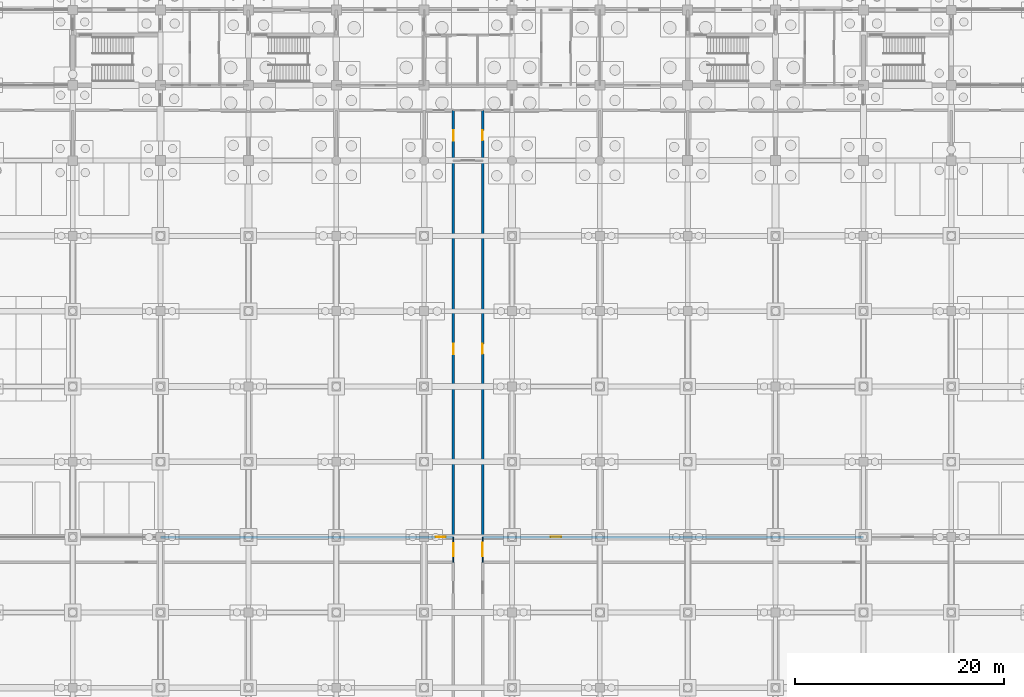
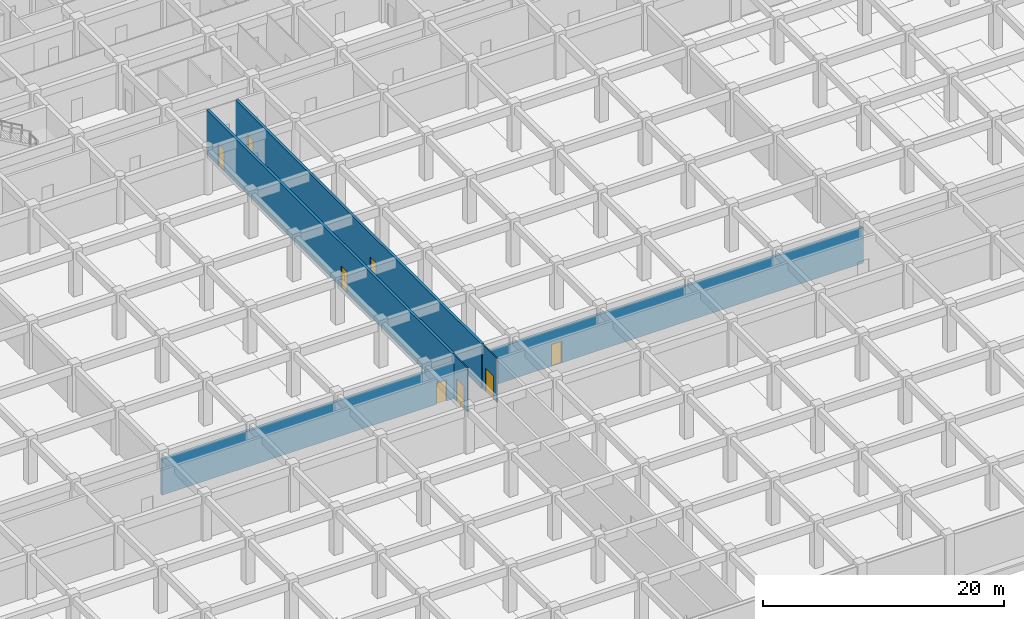
# One storey, part 29 of 85: 8 doors, 6 walls, 8 openings.
"""IFC4 building model written with IfcOpenShell, lengths in metres."""

from ifc_helpers import new_model, si_unit, direction, frame, frame_2d, origin, place, context, subcontext, project, spatial, rectangle, extrude, material, layer, layer_set, type_object, element, fill, save


model = new_model("IFC4")

# Units and contexts
model_context = context("Model", 3, precision=1e-05, world=origin(), true_north=direction((0.0, 1.0)))
body_context = subcontext(model_context, "Body", "Model", "MODEL_VIEW")
ifc_project = project(units=[si_unit("LENGTHUNIT", "METRE"), si_unit("AREAUNIT", "SQUARE_METRE"), si_unit("VOLUMEUNIT", "CUBIC_METRE"), si_unit("PLANEANGLEUNIT", "RADIAN"), si_unit("MASSUNIT", "GRAM", prefix="KILO")], contexts=[model_context])

# Site, building, storey
site_placement = place(None, origin())
site = spatial("IfcSite", under=ifc_project, at=site_placement, CompositionType="ELEMENT")
building_placement = place(site_placement, origin())
building = spatial("IfcBuilding", under=site, at=building_placement, Name="Chengyuan Square Courthouse", CompositionType="ELEMENT")
storey_placement = place(building_placement, frame((0.0, 0.0, -10.199951171875)))
storey = spatial("IfcBuildingStorey", under=building, at=storey_placement, Name="B02", CompositionType="ELEMENT", Elevation=-10.199951171875)

# Wall, opening, door
ifc_material_1 = material(Name="Concrete C40", Category="concrete")
ifc_layer_1 = layer(ifc_material_1, 0.25)
ifc_layer_set_1 = layer_set([ifc_layer_1], Name="Concrete C40")
wall_type_1 = type_object("IfcWallType", Name="WL-FW1", PredefinedType="STANDARD", material=ifc_layer_set_1)
wall_1_placement = place(storey_placement, frame((50.39990234375, 43.199951171875, 0.0), z_axis=(0.0, 0.0, 1.0), x_axis=(1.0, 0.0, 0.0)))
wall_1 = element("IfcWall", 1, at=wall_1_placement, inside=storey, type_object=wall_type_1, Name="Interior Wall WL-B02-I013", PredefinedType="STANDARD", context=body_context, shape_type="SweptSolid", body=[
    extrude(rectangle(XDim=28.0, YDim=0.25, at=frame_2d((14.0, 0.0))), origin(), (0.0, 0.0, 1.0), 3.6298828125),
])
opening_1_placement = place(wall_1_placement, frame((26.297607421875, 0.0, 0.0)))
opening_1 = element("IfcOpeningElement", 2, at=opening_1_placement, cuts=wall_1, Name="Opening DR-327", PredefinedType="OPENING", context=body_context, shape_type="SweptSolid", body=[
    extrude(rectangle(XDim=0.949951171875, YDim=2.14990234375, at=frame_2d((0.47509765625, 1.074951171875))), frame((0.0, 0.136962890625, 0.0), z_axis=(0.0, -1.0, 0.0), x_axis=(1.0, 0.0, 0.0)), (0.0, 0.0, 1.0), 0.27392578125),
])
ifc_material_2 = material(Name="Steel Q235B Fire Door", Category="steel")
door_type_1 = type_object("IfcDoorType", Name="DT-12", OperationType="NOTDEFINED", PredefinedType="DOOR", material=ifc_material_2)
door_1_placement = place(opening_1_placement, origin())
door_1 = element("IfcDoor", 3, at=door_1_placement, inside=storey, type_object=door_type_1, Name="Interior Door DR-327", OperationType="SINGLE_SWING_RIGHT", OverallHeight=2.14990234375, OverallWidth=0.949951171875, PredefinedType="DOOR", context=body_context, shape_type="SweptSolid", body=[
    extrude(rectangle(XDim=0.949951171875, YDim=2.14990234375, at=frame_2d((0.47509765625, 1.074951171875))), frame((0.0, 0.02490234375, 0.0), z_axis=(0.0, -1.0, 0.0), x_axis=(1.0, 0.0, 0.0)), (0.0, 0.0, 1.0), 0.050048828125),
])
fill(opening_1, door_1)

wall_2_placement = place(storey_placement, frame((81.199951171875, 43.199951171875, 0.0), z_axis=(0.0, 0.0, 1.0), x_axis=(1.0, 0.0, 0.0)))
wall_2 = element("IfcWall", 4, at=wall_2_placement, inside=storey, type_object=wall_type_1, Name="Interior Wall WL-B02-I014", PredefinedType="STANDARD", context=body_context, shape_type="SweptSolid", body=[
    extrude(rectangle(XDim=36.400146484375, YDim=0.25, at=frame_2d((18.2001953125, 0.0))), origin(), (0.0, 0.0, 1.0), 3.6298828125),
])
opening_2_placement = place(wall_2_placement, frame((6.5, 0.0, 0.0)))
opening_2 = element("IfcOpeningElement", 5, at=opening_2_placement, cuts=wall_2, Name="Opening DR-329", PredefinedType="OPENING", context=body_context, shape_type="SweptSolid", body=[
    extrude(rectangle(XDim=1.0, YDim=2.199951171875, at=frame_2d((0.5, 1.10009765625))), frame((0.0, 0.136962890625, 0.0), z_axis=(0.0, -1.0, 0.0), x_axis=(1.0, 0.0, 0.0)), (0.0, 0.0, 1.0), 0.27392578125),
])
door_type_2 = type_object("IfcDoorType", Name="DT-11", OperationType="NOTDEFINED", PredefinedType="DOOR", material=ifc_material_2)
door_2_placement = place(opening_2_placement, origin())
door_2 = element("IfcDoor", 6, at=door_2_placement, inside=storey, type_object=door_type_2, Name="Interior Door DR-329", OperationType="SINGLE_SWING_RIGHT", OverallHeight=2.199951171875, OverallWidth=1.0, PredefinedType="DOOR", context=body_context, shape_type="SweptSolid", body=[
    extrude(rectangle(XDim=1.0, YDim=2.199951171875, at=frame_2d((0.5, 1.10009765625))), frame((0.0, 0.02490234375, 0.0), z_axis=(0.0, -1.0, 0.0), x_axis=(1.0, 0.0, 0.0)), (0.0, 0.0, 1.0), 0.050048828125),
])
fill(opening_2, door_2)

# Wall, openings, doors
wall_3_placement = place(storey_placement, frame((78.39990234375, 43.199951171875, 0.0), z_axis=(0.0, 0.0, 1.0), x_axis=(0.0, 1.0, 0.0)))
wall_3 = element("IfcWall", 7, at=wall_3_placement, inside=storey, type_object=wall_type_1, Name="Interior Wall WL-B02-I192", PredefinedType="STANDARD", context=body_context, shape_type="SweptSolid", body=[
    extrude(rectangle(XDim=40.800048828125, YDim=0.25, at=frame_2d((20.39990234375, 0.0))), origin(), (0.0, 0.0, 1.0), 4.47998046875),
])
opening_3_placement = place(wall_3_placement, frame((37.89990234375, 0.0, 0.0)))
opening_3 = element("IfcOpeningElement", 8, at=opening_3_placement, cuts=wall_3, Name="Opening DR-314", PredefinedType="OPENING", context=body_context, shape_type="SweptSolid", body=[
    extrude(rectangle(XDim=1.0, YDim=2.199951171875, at=frame_2d((0.5, 1.10009765625))), frame((0.0, 0.136962890625, 0.0), z_axis=(0.0, -1.0, 0.0), x_axis=(1.0, 0.0, 0.0)), (0.0, 0.0, 1.0), 0.27392578125),
])
opening_4_placement = place(wall_3_placement, frame((17.5, 0.0, 0.0)))
opening_4 = element("IfcOpeningElement", 9, at=opening_4_placement, cuts=wall_3, Name="Opening DR-323", PredefinedType="OPENING", context=body_context, shape_type="SweptSolid", body=[
    extrude(rectangle(XDim=1.0, YDim=2.199951171875, at=frame_2d((0.5, 1.10009765625))), frame((0.0, 0.136962890625, 0.0), z_axis=(0.0, -1.0, 0.0), x_axis=(1.0, 0.0, 0.0)), (0.0, 0.0, 1.0), 0.27392578125),
])
door_3_placement = place(opening_3_placement, origin())
door_3 = element("IfcDoor", 10, at=door_3_placement, inside=storey, type_object=door_type_2, Name="Interior Door DR-314", OperationType="SINGLE_SWING_LEFT", OverallHeight=2.199951171875, OverallWidth=1.0, PredefinedType="DOOR", context=body_context, shape_type="SweptSolid", body=[
    extrude(rectangle(XDim=1.0, YDim=2.199951171875, at=frame_2d((0.5, 1.10009765625))), frame((0.0, 0.02490234375, 0.0), z_axis=(0.0, -1.0, 0.0), x_axis=(1.0, 0.0, 0.0)), (0.0, 0.0, 1.0), 0.050048828125),
])
fill(opening_3, door_3)
door_4_placement = place(opening_4_placement, origin())
door_4 = element("IfcDoor", 11, at=door_4_placement, inside=storey, type_object=door_type_2, Name="Interior Door DR-323", OperationType="SINGLE_SWING_RIGHT", OverallHeight=2.199951171875, OverallWidth=1.0, PredefinedType="DOOR", context=body_context, shape_type="SweptSolid", body=[
    extrude(rectangle(XDim=1.0, YDim=2.199951171875, at=frame_2d((0.5, 1.10009765625))), frame((0.0, 0.02490234375, 0.0), z_axis=(0.0, -1.0, 0.0), x_axis=(1.0, 0.0, 0.0)), (0.0, 0.0, 1.0), 0.050048828125),
])
fill(opening_4, door_4)

wall_4_placement = place(storey_placement, frame((81.199951171875, 43.199951171875, 0.0), z_axis=(0.0, 0.0, 1.0), x_axis=(0.0, 1.0, 0.0)))
wall_4 = element("IfcWall", 12, at=wall_4_placement, inside=storey, type_object=wall_type_1, Name="Interior Wall WL-B02-I197", PredefinedType="STANDARD", context=body_context, shape_type="SweptSolid", body=[
    extrude(rectangle(XDim=40.800048828125, YDim=0.25, at=frame_2d((20.39990234375, 0.0))), origin(), (0.0, 0.0, 1.0), 4.47998046875),
])
opening_5_placement = place(wall_4_placement, frame((37.925048828125, 0.0, 0.0)))
opening_5 = element("IfcOpeningElement", 13, at=opening_5_placement, cuts=wall_4, Name="Opening DR-315", PredefinedType="OPENING", context=body_context, shape_type="SweptSolid", body=[
    extrude(rectangle(XDim=0.949951171875, YDim=2.14990234375, at=frame_2d((0.47509765625, 1.074951171875))), frame((0.0, 0.136962890625, 0.0), z_axis=(0.0, -1.0, 0.0), x_axis=(1.0, 0.0, 0.0)), (0.0, 0.0, 1.0), 0.27392578125),
])
opening_6_placement = place(wall_4_placement, frame((17.52490234375, 0.0, 0.0)))
opening_6 = element("IfcOpeningElement", 14, at=opening_6_placement, cuts=wall_4, Name="Opening DR-324", PredefinedType="OPENING", context=body_context, shape_type="SweptSolid", body=[
    extrude(rectangle(XDim=0.949951171875, YDim=2.14990234375, at=frame_2d((0.47509765625, 1.074951171875))), frame((0.0, 0.136962890625, 0.0), z_axis=(0.0, -1.0, 0.0), x_axis=(1.0, 0.0, 0.0)), (0.0, 0.0, 1.0), 0.27392578125),
])
door_5_placement = place(opening_5_placement, origin())
door_5 = element("IfcDoor", 15, at=door_5_placement, inside=storey, type_object=door_type_1, Name="Interior Door DR-315", OperationType="SINGLE_SWING_RIGHT", OverallHeight=2.14990234375, OverallWidth=0.949951171875, PredefinedType="DOOR", context=body_context, shape_type="SweptSolid", body=[
    extrude(rectangle(XDim=0.949951171875, YDim=2.14990234375, at=frame_2d((0.47509765625, 1.074951171875))), frame((0.0, 0.02490234375, 0.0), z_axis=(0.0, -1.0, 0.0), x_axis=(1.0, 0.0, 0.0)), (0.0, 0.0, 1.0), 0.050048828125),
])
fill(opening_5, door_5)
door_6_placement = place(opening_6_placement, origin())
door_6 = element("IfcDoor", 16, at=door_6_placement, inside=storey, type_object=door_type_1, Name="Interior Door DR-324", OperationType="SINGLE_SWING_LEFT", OverallHeight=2.14990234375, OverallWidth=0.949951171875, PredefinedType="DOOR", context=body_context, shape_type="SweptSolid", body=[
    extrude(rectangle(XDim=0.949951171875, YDim=2.14990234375, at=frame_2d((0.47509765625, 1.074951171875))), frame((0.0, 0.02490234375, 0.0), z_axis=(0.0, -1.0, 0.0), x_axis=(1.0, 0.0, 0.0)), (0.0, 0.0, 1.0), 0.050048828125),
])
fill(opening_6, door_6)

# Wall, opening, door
ifc_material_3 = material(Name="Gypsum Plasterboard Acoustic Stud Partition")
ifc_layer_2 = layer(ifc_material_3, 0.10009765625)
ifc_layer_set_2 = layer_set([ifc_layer_2], Name="Gypsum Plasterboard Acoustic Stud Partition")
wall_type_2 = type_object("IfcWallType", Name="WL-PT6", PredefinedType="STANDARD", material=ifc_layer_set_2)
wall_5_placement = place(storey_placement, frame((78.39990234375, 40.800048828125, 0.0), z_axis=(0.0, 0.0, 1.0), x_axis=(0.0, 1.0, 0.0)))
wall_5 = element("IfcWall", 17, at=wall_5_placement, inside=storey, type_object=wall_type_2, Name="Interior Wall WL-B02-I191", PredefinedType="STANDARD", context=body_context, shape_type="SweptSolid", body=[
    extrude(rectangle(XDim=2.39990234375, YDim=0.10009765625, at=frame_2d((1.199951171875, 0.0))), origin(), (0.0, 0.0, 1.0), 4.47998046875),
])
opening_7_placement = place(wall_5_placement, frame((0.580078125, 0.0, 0.0)))
opening_7 = element("IfcOpeningElement", 18, at=opening_7_placement, cuts=wall_5, Name="Opening DR-317", PredefinedType="OPENING", context=body_context, shape_type="SweptSolid", body=[
    extrude(rectangle(XDim=1.239990234375, YDim=2.300048828125, at=frame_2d((0.6201171875, 1.14990234375))), frame((0.0, 0.06201171875, 0.0), z_axis=(0.0, -1.0, 0.0), x_axis=(1.0, 0.0, 0.0)), (0.0, 0.0, 1.0), 0.1240234375),
])
ifc_material_4 = material(Name="Acoustic Solid-Core Timber Door", Category="wood")
door_type_3 = type_object("IfcDoorType", Name="DT-37", OperationType="NOTDEFINED", PredefinedType="DOOR", material=ifc_material_4)
door_7_placement = place(opening_7_placement, origin())
door_7 = element("IfcDoor", 19, at=door_7_placement, inside=storey, type_object=door_type_3, Name="Interior Door DR-317", OperationType="SINGLE_SWING_RIGHT", OverallHeight=2.300048828125, OverallWidth=1.239990234375, PredefinedType="DOOR", context=body_context, shape_type="SweptSolid", body=[
    extrude(rectangle(XDim=1.239990234375, YDim=2.300048828125, at=frame_2d((0.6201171875, 1.14990234375))), frame((0.0, 0.02490234375, 0.0), z_axis=(0.0, -1.0, 0.0), x_axis=(1.0, 0.0, 0.0)), (0.0, 0.0, 1.0), 0.050048828125),
])
fill(opening_7, door_7)

wall_6_placement = place(storey_placement, frame((81.199951171875, 40.800048828125, 0.0), z_axis=(0.0, 0.0, 1.0), x_axis=(0.0, 1.0, 0.0)))
wall_6 = element("IfcWall", 20, at=wall_6_placement, inside=storey, type_object=wall_type_2, Name="Interior Wall WL-B02-I196", PredefinedType="STANDARD", context=body_context, shape_type="SweptSolid", body=[
    extrude(rectangle(XDim=2.39990234375, YDim=0.10009765625, at=frame_2d((1.199951171875, 0.0))), origin(), (0.0, 0.0, 1.0), 4.47998046875),
])
opening_8_placement = place(wall_6_placement, frame((0.56005859375, 0.0, 0.0)))
opening_8 = element("IfcOpeningElement", 21, at=opening_8_placement, cuts=wall_6, Name="Opening DR-318", PredefinedType="OPENING", context=body_context, shape_type="SweptSolid", body=[
    extrude(rectangle(XDim=1.280029296875, YDim=2.35009765625, at=frame_2d((0.64013671875, 1.175048828125))), frame((0.0, 0.06201171875, 0.0), z_axis=(0.0, -1.0, 0.0), x_axis=(1.0, 0.0, 0.0)), (0.0, 0.0, 1.0), 0.1240234375),
])
door_type_4 = type_object("IfcDoorType", Name="DT-38", OperationType="NOTDEFINED", PredefinedType="DOOR", material=ifc_material_4)
door_8_placement = place(opening_8_placement, origin())
door_8 = element("IfcDoor", 22, at=door_8_placement, inside=storey, type_object=door_type_4, Name="Interior Door DR-318", OperationType="SINGLE_SWING_LEFT", OverallHeight=2.35009765625, OverallWidth=1.280029296875, PredefinedType="DOOR", context=body_context, shape_type="SweptSolid", body=[
    extrude(rectangle(XDim=1.280029296875, YDim=2.35009765625, at=frame_2d((0.64013671875, 1.175048828125))), frame((0.0, 0.02490234375, 0.0), z_axis=(0.0, -1.0, 0.0), x_axis=(1.0, 0.0, 0.0)), (0.0, 0.0, 1.0), 0.050048828125),
])
fill(opening_8, door_8)

save(model, "model.ifc")
